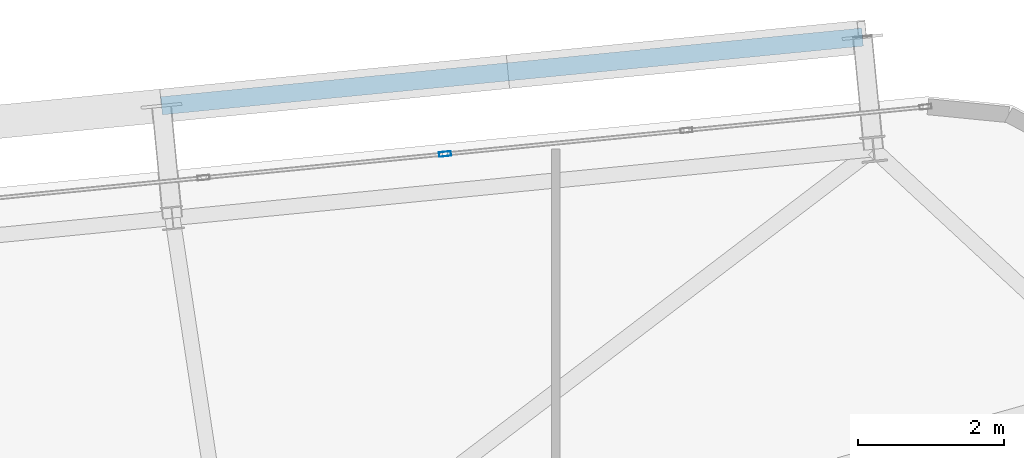
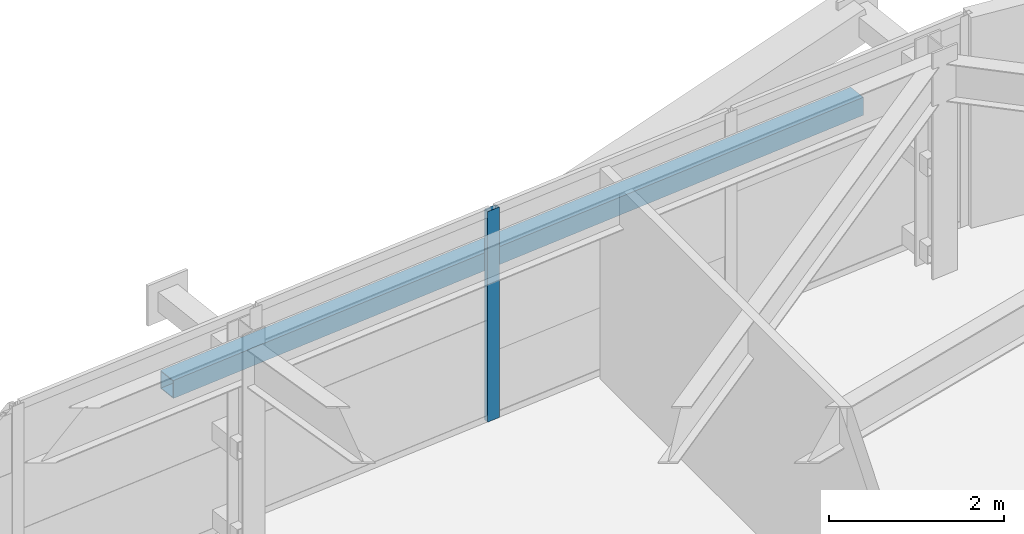
# One storey, part 33 of 52: 2 members, 1 element without a shape of its own.
"""IFC4 building model written with IfcOpenShell, lengths in metres."""

from ifc_helpers import new_model, si_unit, direction, frame, origin, origin_2d, place, context, subcontext, project, spatial, hollow_rectangle, extrude, source, transform, mapped, material, layer, layer_set, material_profile, profile_set, type_object, element, aggregate, save


model = new_model("IFC4")

# Units and contexts
model_context = context("Model", 3, precision=1e-05, world=origin(), true_north=direction((0.0, 1.0)))
body_context = subcontext(model_context, "Body", "Model", "MODEL_VIEW")
ifc_project = project(units=[si_unit("LENGTHUNIT", "METRE"), si_unit("AREAUNIT", "SQUARE_METRE"), si_unit("VOLUMEUNIT", "CUBIC_METRE"), si_unit("PLANEANGLEUNIT", "RADIAN"), si_unit("MASSUNIT", "GRAM", prefix="KILO")], contexts=[model_context])

# Site, building, storey
site_placement = place(None, origin())
site = spatial("IfcSite", under=ifc_project, at=site_placement, CompositionType="ELEMENT")
building_placement = place(site_placement, origin())
building = spatial("IfcBuilding", under=site, at=building_placement, Name="Taldren Reach Tower", CompositionType="ELEMENT")
storey_placement = place(building_placement, frame((0.0, 0.0, 74.550048828125)))
storey = spatial("IfcBuildingStorey", under=building, at=storey_placement, Name="L22", CompositionType="ELEMENT", Elevation=74.550048828125)

# Member
ifc_material_1 = material(Name="Steel Gr 350 (C350L0)", Category="steel")
ifc_material_profile_1 = material_profile(ifc_material_1, hollow_rectangle(XDim=0.25, YDim=0.25, WallThickness=0.010009765625, at=origin_2d()), Name="250x250x10.0SHS")
ifc_profile_set_1 = profile_set([ifc_material_profile_1], Name="Steel Gr 350 (C350L0)")
member_type_1 = type_object("IfcMemberType", Name="MB-POST250", PredefinedType="POST", material=ifc_profile_set_1)
shared_shape_1 = source(origin(), body_context, "Body", "SweptSolid", [
    extrude(hollow_rectangle(XDim=0.25, YDim=0.25, WallThickness=0.010009765625, at=origin_2d()), origin(), (0.0, 0.0, 1.0), 9.679931640625),
])
member_1_placement = place(storey_placement, frame((49.980712890625, 39.27783203125, 1.43505859375), z_axis=(0.995227612658, 0.097580730699, 0.0), x_axis=(-0.097580730699, 0.995227612658, 0.0)))
element("IfcMember", 1, at=member_1_placement, inside=storey, type_object=member_type_1, Name="Exoskeleton mid-height ring chord B2-N5 L22", PredefinedType="POST", context=body_context, shape_type="MappedRepresentation", body=[
    mapped(shared_shape_1, transform((0.0, 0.0, 0.0), scale=1.0)),
])

# Curtain wall, member
ifc_material_2 = material(Name="Aluminium and Low-E Glass Unitised System", Category="aluminium")
ifc_layer = layer(ifc_material_2, 0.159912109375)
ifc_layer_set = layer_set([ifc_layer], Name="Aluminium and Low-E Glass Unitised System")
curtain_wall_type = type_object("IfcCurtainWallType", Name="CW-SYS-3", PredefinedType="NOTDEFINED", material=ifc_layer_set)
curtain_wall_placement = place(storey_placement, origin())
curtain_wall = element("IfcCurtainWall", 2, at=curtain_wall_placement, inside=storey, type_object=curtain_wall_type, Name="Unitised curtain wall CW-L22-N", PredefinedType="NOTDEFINED")
ifc_material_3 = material(Name="Anodised Aluminium 6063-T6", Category="aluminium")
ifc_material_profile_2 = material_profile(ifc_material_3, hollow_rectangle(XDim=0.06494140625, YDim=0.1650390625, WallThickness=0.00390625, at=origin_2d()), Name="ALU-165x65x4RHS")
ifc_profile_set_2 = profile_set([ifc_material_profile_2], Name="Anodised Aluminium 6063-T6")
member_type_2 = type_object("IfcMemberType", Name="CW-MUL-165", PredefinedType="MULLION", material=ifc_profile_set_2)
shared_shape_2 = source(origin(), body_context, "Body", "SweptSolid", [
    extrude(hollow_rectangle(XDim=0.06494140625, YDim=0.1650390625, WallThickness=0.00390625, at=origin_2d()), origin(), (0.0, 0.0, 1.0), 2.929931640625),
])
member_2_placement = place(storey_placement, frame((53.87744140625, 38.614990234375, 0.0), z_axis=(0.0, 0.0, 1.0), x_axis=(0.097582999046, -0.995227390247, 0.0)))
member_2 = element("IfcMember", 3, at=member_2_placement, type_object=member_type_2, Name="CW-3 mullion 3", PredefinedType="MULLION", context=body_context, shape_type="MappedRepresentation", body=[
    mapped(shared_shape_2, transform((0.0, 0.0, 0.0), scale=1.0)),
])
aggregate(curtain_wall, [member_2])

save(model, "model.ifc")
